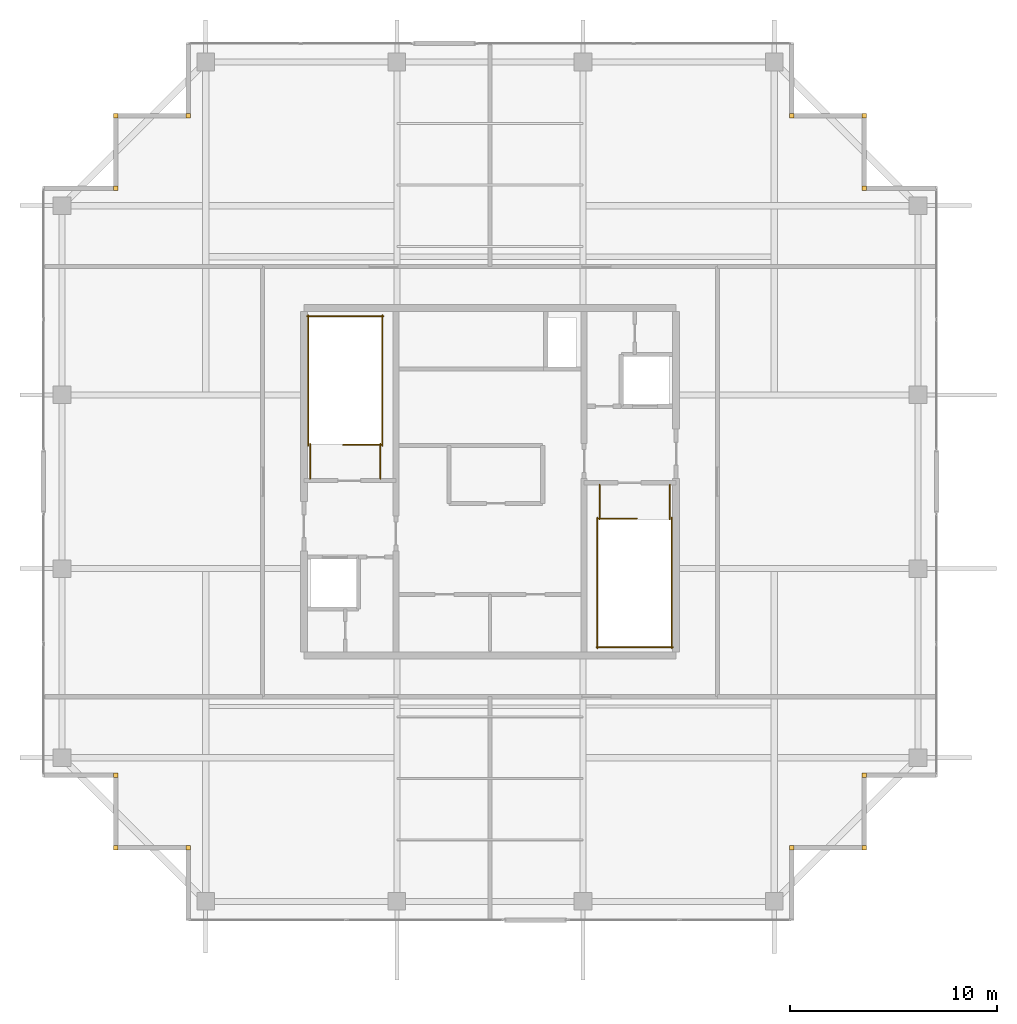
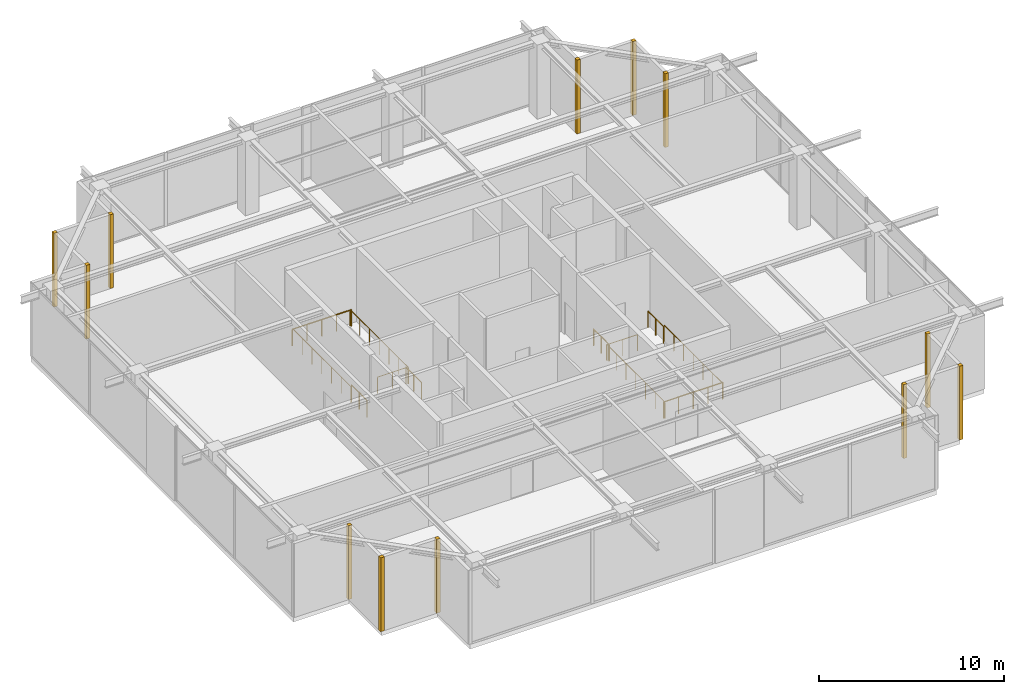
# One storey, part 27 of 27: 12 coverings, 12 railings.
"""IFC4 building model written with IfcOpenShell, lengths in metres."""

import ifcopenshell
import ifcopenshell.guid

model = None  # the IFC model being written
_history = None  # IfcOwnerHistory: only IFC2X3 demands one
_inside = {}  # id of a spatial element -> (the spatial element, [elements in it])
_under = {}  # id of a project, library or spatial element -> (it, [spatial elements below it])
_declared = {}  # id of a project -> (the project, [libraries it declares])
_typed = {}  # id of a type object -> (the type object, [elements of that type])
_made_of = {}  # id of a material, layer set ... -> (it, [elements and type objects made of it])


def new_model(schema):
    """Start an empty IFC model of exactly this schema.

    Asked for "IFC4X3", IfcOpenShell would pick the latest addendum, in which some entities
    have other attributes; the version numbers below select the first issue.
    IFC2X3 requires an IfcOwnerHistory on every rooted entity: one is made here for all.
    """
    global model, _history
    if schema == "IFC4X3":
        model = ifcopenshell.file(schema_version=(4, 3, 0, 0))
    else:
        model = ifcopenshell.file(schema=schema)
    _inside.clear()
    _under.clear()
    _declared.clear()
    _typed.clear()
    _made_of.clear()
    _history = None
    if model.schema == "IFC2X3":
        org = make("IfcOrganization", Name="unknown")
        user = make(
            "IfcPersonAndOrganization",
            ThePerson=make("IfcPerson", FamilyName="unknown"),
            TheOrganization=org,
        )
        app = make(
            "IfcApplication",
            ApplicationDeveloper=org,
            Version="unknown",
            ApplicationFullName="unknown",
            ApplicationIdentifier="unknown",
        )
        _history = make(
            "IfcOwnerHistory",
            OwningUser=user,
            OwningApplication=app,
            ChangeAction="ADDED",
            CreationDate=0,
        )
    return model


def make(cls, **values):
    """One entity of the class cls with the attributes given. An attribute that is None is left unset."""
    return model.create_entity(
        cls, **{name: value for name, value in values.items() if value is not None}
    )


def rooted(cls, **values):
    """An entity with a GlobalId (a new one), such as an element, a storey or a relation."""
    return make(cls, GlobalId=ifcopenshell.guid.new(), OwnerHistory=_history, **values)


def si_unit(unit_type, name, prefix=None):
    """IfcSIUnit, for example si_unit("LENGTHUNIT", "METRE", prefix="MILLI")."""
    return make("IfcSIUnit", UnitType=unit_type, Prefix=prefix, Name=name)


def assignment(units):
    """IfcUnitAssignment: the units of a project."""
    return None if units is None else make("IfcUnitAssignment", Units=units)


def point(xyz):
    """IfcCartesianPoint."""
    return None if xyz is None else make("IfcCartesianPoint", Coordinates=xyz)


def direction(xyz):
    """IfcDirection."""
    return None if xyz is None else make("IfcDirection", DirectionRatios=xyz)


def frame(location, z_axis=None, x_axis=None):
    """IfcAxis2Placement3D, a coordinate frame: its origin and axes. An axis left out is left unset."""
    return make(
        "IfcAxis2Placement3D",
        Location=point(location),
        Axis=direction(z_axis),
        RefDirection=direction(x_axis),
    )


def frame_2d(location, x_axis=None):
    """IfcAxis2Placement2D, a coordinate frame in the plane: its origin and x axis."""
    return make(
        "IfcAxis2Placement2D", Location=point(location), RefDirection=direction(x_axis)
    )


def origin():
    """The frame at (0, 0, 0) with its axes left unset."""
    return frame((0.0, 0.0, 0.0))


def origin_2d():
    """The frame at (0, 0) in the plane with its x axis left unset."""
    return frame_2d((0.0, 0.0))


def place(relative_to, where):
    """IfcLocalPlacement: puts the frame where relative to a parent placement (None: the world)."""
    return make(
        "IfcLocalPlacement", PlacementRelTo=relative_to, RelativePlacement=where
    )


def context(
    kind, dimensions, precision=None, world=None, true_north=None, identifier=None
):
    """IfcGeometricRepresentationContext, for example the 3D "Model" context."""
    return make(
        "IfcGeometricRepresentationContext",
        ContextIdentifier=identifier,
        ContextType=kind,
        CoordinateSpaceDimension=dimensions,
        Precision=precision,
        WorldCoordinateSystem=world,
        TrueNorth=true_north,
    )


def subcontext(parent, identifier, kind, view, scale=None):
    """IfcGeometricRepresentationSubContext, for example "Body" below "Model"."""
    return make(
        "IfcGeometricRepresentationSubContext",
        ContextIdentifier=identifier,
        ContextType=kind,
        ParentContext=parent,
        TargetScale=scale,
        TargetView=view,
    )


def project(units=None, contexts=None):
    """IfcProject with its units and contexts."""
    return rooted(
        "IfcProject",
        Name="project",
        RepresentationContexts=contexts,
        UnitsInContext=assignment(units),
    )


def spatial(cls, under=None, at=None, **own):
    """A site, building, storey or space (cls), placed at a placement, below another one or the project."""
    s = rooted(cls, ObjectPlacement=at, **own)
    if under is not None:
        _under.setdefault(under.id(), (under, []))[1].append(s)
    return s


def profile(cls, at=None, kind="AREA", **sizes):
    """A parametric profile (cls). Its sizes go by their IFC names, for example OverallWidth=200.0."""
    return make(cls, ProfileType=kind, Position=at, **sizes)


def rectangle(**sizes):
    """IfcRectangleProfileDef."""
    return profile("IfcRectangleProfileDef", **sizes)


def circle(**sizes):
    """IfcCircleProfileDef."""
    return profile("IfcCircleProfileDef", **sizes)


def extrude(swept, where, along, depth):
    """IfcExtrudedAreaSolid: the profile swept, set in the frame where, extruded along a direction by depth."""
    return make(
        "IfcExtrudedAreaSolid",
        SweptArea=swept,
        Position=where,
        ExtrudedDirection=direction(along),
        Depth=depth,
    )


def shape(context_of_items, identifier, shape_type, items):
    """IfcShapeRepresentation: the items that make up one representation, for example the "Body"."""
    return make(
        "IfcShapeRepresentation",
        ContextOfItems=context_of_items,
        RepresentationIdentifier=identifier,
        RepresentationType=shape_type,
        Items=items,
    )


def source(mapping_origin, context_of_items, identifier, shape_type, items):
    """IfcRepresentationMap: a shape defined once, which mapped items show again and again."""
    return make(
        "IfcRepresentationMap",
        MappingOrigin=mapping_origin,
        MappedRepresentation=shape(context_of_items, identifier, shape_type, items),
    )


def transform(
    local_origin,
    x_axis=None,
    y_axis=None,
    z_axis=None,
    scale=None,
    scale2=None,
    scale3=None,
    uniform=True,
):
    """IfcCartesianTransformationOperator3D, or its non-uniform kind. x_axis, y_axis, z_axis: its Axis1, 2, 3."""
    if uniform:
        return make(
            "IfcCartesianTransformationOperator3D",
            Axis1=direction(x_axis),
            Axis2=direction(y_axis),
            LocalOrigin=point(local_origin),
            Scale=scale,
            Axis3=direction(z_axis),
        )
    return make(
        "IfcCartesianTransformationOperator3DnonUniform",
        Axis1=direction(x_axis),
        Axis2=direction(y_axis),
        LocalOrigin=point(local_origin),
        Scale=scale,
        Axis3=direction(z_axis),
        Scale2=scale2,
        Scale3=scale3,
    )


def mapped(mapping_source, mapping_target):
    """IfcMappedItem: shows the shape of a source again, moved by a transform."""
    return make(
        "IfcMappedItem", MappingSource=mapping_source, MappingTarget=mapping_target
    )


def material(Name=None, Category=None):
    """IfcMaterial."""
    return make("IfcMaterial", Name=Name, Category=Category)


def layer(
    of_material, thickness, ventilated=None, Name=None, Category=None, Priority=None
):
    """IfcMaterialLayer: one layer of a wall or slab, of a material (None: an air gap)."""
    return make(
        "IfcMaterialLayer",
        Material=of_material,
        LayerThickness=thickness,
        IsVentilated=ventilated,
        Name=Name,
        Category=Category,
        Priority=Priority,
    )


def layer_set(layers, Name=None):
    """IfcMaterialLayerSet."""
    return make("IfcMaterialLayerSet", MaterialLayers=layers, LayerSetName=Name)


def made_of(thing, what):
    """Note that an element or type object is made of a material, layer set ...; save() writes the relation."""
    if what is not None:
        _made_of.setdefault(what.id(), (what, []))[1].append(thing)
    return thing


def type_object(cls, material=None, **own):
    """A type object (cls), such as IfcWallType, which elements share."""
    return made_of(rooted(cls, **own), material)


def element(
    cls,
    number,
    at=None,
    inside=None,
    cuts=None,
    type_object=None,
    material=None,
    context=None,
    identifier="Body",
    shape_type=None,
    held_by="IfcProductDefinitionShape",
    body=None,
    shapes=None,
    **own,
):
    """One element of the class cls, such as IfcWall. Its Tag is "e" and its number.

    at: its placement. inside: the storey or other place that contains it. cuts: it is an
    opening in that element (IfcRelVoidsElement). A single representation is given by context,
    identifier, shape_type and body (its items); several are given by shapes. held_by: the class
    of the entity that holds the representations. save() writes the other relations.
    """
    e = rooted(cls, Tag="e%d" % number, ObjectPlacement=at, **own)
    if body is not None:
        shapes = [shape(context, identifier, shape_type, body)]
    if shapes is not None:
        e.Representation = make(held_by, Representations=shapes)
    if inside is not None:
        _inside.setdefault(inside.id(), (inside, []))[1].append(e)
    if cuts is not None:
        rooted(
            "IfcRelVoidsElement", RelatingBuildingElement=cuts, RelatedOpeningElement=e
        )
    if type_object is not None:
        _typed.setdefault(type_object.id(), (type_object, []))[1].append(e)
    return made_of(e, material)


def aggregate(whole, parts):
    """IfcRelAggregates: a whole, such as a stair, and the parts it consists of."""
    return rooted("IfcRelAggregates", RelatingObject=whole, RelatedObjects=parts)


def save(model, path):
    """Write the relations noted so far, then the file.

    IfcRelAggregates (storeys below a building ...), IfcRelContainedInSpatialStructure (elements
    in a storey), IfcRelDefinesByType, IfcRelAssociatesMaterial and IfcRelDeclares: one each for
    every whole, place, type object, material and project.
    """
    for whole, parts in _under.values():
        aggregate(whole, parts)
    for where, things in _inside.values():
        rooted(
            "IfcRelContainedInSpatialStructure",
            RelatedElements=things,
            RelatingStructure=where,
        )
    for kind, things in _typed.values():
        rooted("IfcRelDefinesByType", RelatedObjects=things, RelatingType=kind)
    for what, things in _made_of.values():
        rooted("IfcRelAssociatesMaterial", RelatedObjects=things, RelatingMaterial=what)
    for by, libraries in _declared.values():
        rooted("IfcRelDeclares", RelatingContext=by, RelatedDefinitions=libraries)
    model.write(path)


model = new_model("IFC4")

# Units and contexts
model_context = context("Model", 3, precision=1e-05, world=origin(), true_north=direction((0.0, 1.0)))
body_context = subcontext(model_context, "Body", "Model", "MODEL_VIEW")
ifc_project = project(units=[si_unit("LENGTHUNIT", "METRE"), si_unit("AREAUNIT", "SQUARE_METRE"), si_unit("VOLUMEUNIT", "CUBIC_METRE"), si_unit("PLANEANGLEUNIT", "RADIAN"), si_unit("MASSUNIT", "GRAM", prefix="KILO")], contexts=[model_context])

# Site, building, storey
site_placement = place(None, origin())
site = spatial("IfcSite", under=ifc_project, at=site_placement, CompositionType="ELEMENT")
building_placement = place(site_placement, origin())
building = spatial("IfcBuilding", under=site, at=building_placement, Name="Serunith Strait Residences", CompositionType="ELEMENT")
storey_placement = place(building_placement, frame((0.0, 0.0, 365.75)))
storey = spatial("IfcBuildingStorey", under=building, at=storey_placement, Name="L89", CompositionType="ELEMENT", Elevation=365.75)

# Railings
ifc_material_1 = material(Name="Brushed stainless steel 316L", Category="steel")
railing_type = type_object("IfcRailingType", Name="RLG-STAIR-GUARD", PredefinedType="BALUSTRADE", material=ifc_material_1)
railing_1_placement = place(storey_placement, frame((27.14990234375, 26.97998046875, 0.0)))
element("IfcRailing", 1, at=railing_1_placement, inside=storey, type_object=railing_type, Name="L89 ST-1 top well guard 1", PredefinedType="BALUSTRADE", context=body_context, shape_type="SweptSolid", body=[
    extrude(circle(Radius=0.02392578125, at=origin_2d()), frame((-0.001953125, 0.0, 1.076171875), z_axis=(-1.0, 0.0, 0.0), x_axis=(0.0, -1.0, 0.0)), (0.0, 0.0, 1.0), 1.845947265625),
    extrude(circle(Radius=0.02099609375, at=origin_2d()), origin(), (0.0, 0.0, 1.0), 1.050048828125),
    extrude(circle(Radius=0.02099609375, at=origin_2d()), frame((-0.9248046875, 0.0, 0.0)), (0.0, 0.0, 1.0), 1.050048828125),
    extrude(circle(Radius=0.02099609375, at=origin_2d()), frame((-1.849853515625, 0.0, 0.0)), (0.0, 0.0, 1.0), 1.050048828125),
])
for number, where, name in (
    (2, (27.199951171875, 26.929931640625, 0.0), "L89 ST-1 top well guard 2"),
    (3, (23.60009765625, 26.929931640625, 0.0), "L89 ST-1 top well guard 3"),
):
    element("IfcRailing", number, at=place(storey_placement, frame(where)), inside=storey, type_object=railing_type, Name=name, PredefinedType="BALUSTRADE", context=body_context, shape_type="SweptSolid", body=[
        extrude(circle(Radius=0.02392578125, at=origin_2d()), frame((0.0, 0.001953125, 1.076171875), z_axis=(0.0, 1.0, 0.0), x_axis=(-1.0, 0.0, 0.0)), (0.0, 0.0, 1.0), 6.316162109375),
        extrude(circle(Radius=0.02099609375, at=origin_2d()), origin(), (0.0, 0.0, 1.0), 1.050048828125),
        extrude(circle(Radius=0.02099609375, at=origin_2d()), frame((0.0, 1.05322265625, 0.0)), (0.0, 0.0, 1.0), 1.050048828125),
        extrude(circle(Radius=0.02099609375, at=origin_2d()), frame((0.0, 2.106689453125, 0.0)), (0.0, 0.0, 1.0), 1.050048828125),
        extrude(circle(Radius=0.02099609375, at=origin_2d()), frame((0.0, 3.16015625, 0.0)), (0.0, 0.0, 1.0), 1.050048828125),
        extrude(circle(Radius=0.02099609375, at=origin_2d()), frame((0.0, 4.21337890625, 0.0)), (0.0, 0.0, 1.0), 1.050048828125),
        extrude(circle(Radius=0.02099609375, at=origin_2d()), frame((0.0, 5.2666015625, 0.0)), (0.0, 0.0, 1.0), 1.050048828125),
        extrude(circle(Radius=0.02099609375, at=origin_2d()), frame((0.0, 6.320068359375, 0.0)), (0.0, 0.0, 1.0), 1.050048828125),
    ])
railing_2_placement = place(storey_placement, frame((27.25, 33.199951171875, 0.0)))
element("IfcRailing", 4, at=railing_2_placement, inside=storey, type_object=railing_type, Name="L89 ST-1 top well guard 4", PredefinedType="BALUSTRADE", context=body_context, shape_type="SweptSolid", body=[
    extrude(circle(Radius=0.02392578125, at=origin_2d()), frame((-0.001953125, 0.0, 1.076171875), z_axis=(-1.0, 0.0, 0.0), x_axis=(0.0, -1.0, 0.0)), (0.0, 0.0, 1.0), 3.696044921875),
    extrude(circle(Radius=0.02099609375, at=origin_2d()), origin(), (0.0, 0.0, 1.0), 1.050048828125),
    extrude(circle(Radius=0.02099609375, at=origin_2d()), frame((-0.925048828125, 0.0, 0.0)), (0.0, 0.0, 1.0), 1.050048828125),
    extrude(circle(Radius=0.02099609375, at=origin_2d()), frame((-1.85009765625, 0.0, 0.0)), (0.0, 0.0, 1.0), 1.050048828125),
    extrude(circle(Radius=0.02099609375, at=origin_2d()), frame((-2.77490234375, 0.0, 0.0)), (0.0, 0.0, 1.0), 1.050048828125),
    extrude(circle(Radius=0.02099609375, at=origin_2d()), frame((-3.699951171875, 0.0, 0.0)), (0.0, 0.0, 1.0), 1.050048828125),
])
for number, where, name in (
    (5, (27.10009765625, 25.35009765625, 0.0), "L89 ST-1 top well guard 5"),
    (6, (23.699951171875, 25.35009765625, 0.0), "L89 ST-1 top well guard 6"),
):
    element("IfcRailing", number, at=place(storey_placement, frame(where)), inside=storey, type_object=railing_type, Name=name, PredefinedType="BALUSTRADE", context=body_context, shape_type="SweptSolid", body=[
        extrude(circle(Radius=0.02392578125, at=origin_2d()), frame((0.0, 0.001953125, 1.076171875), z_axis=(0.0, 1.0, 0.0), x_axis=(-1.0, 0.0, 0.0)), (0.0, 0.0, 1.0), 1.676025390625),
        extrude(circle(Radius=0.02099609375, at=origin_2d()), origin(), (0.0, 0.0, 1.0), 1.050048828125),
        extrude(circle(Radius=0.02099609375, at=origin_2d()), frame((0.0, 0.83984375, 0.0)), (0.0, 0.0, 1.0), 1.050048828125),
        extrude(circle(Radius=0.02099609375, at=origin_2d()), frame((0.0, 1.679931640625, 0.0)), (0.0, 0.0, 1.0), 1.050048828125),
    ])
railing_3_placement = place(storey_placement, frame((37.64990234375, 23.419921875, 0.0)))
element("IfcRailing", 7, at=railing_3_placement, inside=storey, type_object=railing_type, Name="L89 ST-2 top well guard 1", PredefinedType="BALUSTRADE", context=body_context, shape_type="SweptSolid", body=[
    extrude(circle(Radius=0.02392578125, at=origin_2d()), frame((0.001953125, 0.0, 1.076171875), z_axis=(1.0, 0.0, 0.0), x_axis=(0.0, 1.0, 0.0)), (0.0, 0.0, 1.0), 1.84619140625),
    extrude(circle(Radius=0.02099609375, at=origin_2d()), origin(), (0.0, 0.0, 1.0), 1.050048828125),
    extrude(circle(Radius=0.02099609375, at=origin_2d()), frame((0.925048828125, 0.0, 0.0)), (0.0, 0.0, 1.0), 1.050048828125),
    extrude(circle(Radius=0.02099609375, at=origin_2d()), frame((1.85009765625, 0.0, 0.0)), (0.0, 0.0, 1.0), 1.050048828125),
])
for number, where, name in (
    (8, (37.60009765625, 23.469970703125, 0.0), "L89 ST-2 top well guard 2"),
    (9, (41.199951171875, 23.469970703125, 0.0), "L89 ST-2 top well guard 3"),
):
    element("IfcRailing", number, at=place(storey_placement, frame(where)), inside=storey, type_object=railing_type, Name=name, PredefinedType="BALUSTRADE", context=body_context, shape_type="SweptSolid", body=[
        extrude(circle(Radius=0.02392578125, at=origin_2d()), frame((0.0, -0.001953125, 1.076171875), z_axis=(0.0, -1.0, 0.0), x_axis=(1.0, 0.0, 0.0)), (0.0, 0.0, 1.0), 6.316162109375),
        extrude(circle(Radius=0.02099609375, at=origin_2d()), origin(), (0.0, 0.0, 1.0), 1.050048828125),
        extrude(circle(Radius=0.02099609375, at=origin_2d()), frame((0.0, -1.05322265625, 0.0)), (0.0, 0.0, 1.0), 1.050048828125),
        extrude(circle(Radius=0.02099609375, at=origin_2d()), frame((0.0, -2.106689453125, 0.0)), (0.0, 0.0, 1.0), 1.050048828125),
        extrude(circle(Radius=0.02099609375, at=origin_2d()), frame((0.0, -3.16015625, 0.0)), (0.0, 0.0, 1.0), 1.050048828125),
        extrude(circle(Radius=0.02099609375, at=origin_2d()), frame((0.0, -4.21337890625, 0.0)), (0.0, 0.0, 1.0), 1.050048828125),
        extrude(circle(Radius=0.02099609375, at=origin_2d()), frame((0.0, -5.2666015625, 0.0)), (0.0, 0.0, 1.0), 1.050048828125),
        extrude(circle(Radius=0.02099609375, at=origin_2d()), frame((0.0, -6.320068359375, 0.0)), (0.0, 0.0, 1.0), 1.050048828125),
    ])
railing_4_placement = place(storey_placement, frame((37.550048828125, 17.199951171875, 0.0)))
element("IfcRailing", 10, at=railing_4_placement, inside=storey, type_object=railing_type, Name="L89 ST-2 top well guard 4", PredefinedType="BALUSTRADE", context=body_context, shape_type="SweptSolid", body=[
    extrude(circle(Radius=0.02392578125, at=origin_2d()), frame((0.001953125, 0.0, 1.076171875), z_axis=(1.0, 0.0, 0.0), x_axis=(0.0, 1.0, 0.0)), (0.0, 0.0, 1.0), 3.696044921875),
    extrude(circle(Radius=0.02099609375, at=origin_2d()), origin(), (0.0, 0.0, 1.0), 1.050048828125),
    extrude(circle(Radius=0.02099609375, at=origin_2d()), frame((0.925048828125, 0.0, 0.0)), (0.0, 0.0, 1.0), 1.050048828125),
    extrude(circle(Radius=0.02099609375, at=origin_2d()), frame((1.85009765625, 0.0, 0.0)), (0.0, 0.0, 1.0), 1.050048828125),
    extrude(circle(Radius=0.02099609375, at=origin_2d()), frame((2.77490234375, 0.0, 0.0)), (0.0, 0.0, 1.0), 1.050048828125),
    extrude(circle(Radius=0.02099609375, at=origin_2d()), frame((3.699951171875, 0.0, 0.0)), (0.0, 0.0, 1.0), 1.050048828125),
])
for number, where, name in (
    (11, (37.699951171875, 25.050048828125, 0.0), "L89 ST-2 top well guard 5"),
    (12, (41.10009765625, 25.050048828125, 0.0), "L89 ST-2 top well guard 6"),
):
    element("IfcRailing", number, at=place(storey_placement, frame(where)), inside=storey, type_object=railing_type, Name=name, PredefinedType="BALUSTRADE", context=body_context, shape_type="SweptSolid", body=[
        extrude(circle(Radius=0.02392578125, at=origin_2d()), frame((0.0, -0.001953125, 1.076171875), z_axis=(0.0, -1.0, 0.0), x_axis=(1.0, 0.0, 0.0)), (0.0, 0.0, 1.0), 1.676025390625),
        extrude(circle(Radius=0.02099609375, at=origin_2d()), origin(), (0.0, 0.0, 1.0), 1.050048828125),
        extrude(circle(Radius=0.02099609375, at=origin_2d()), frame((0.0, -0.83984375, 0.0)), (0.0, 0.0, 1.0), 1.050048828125),
        extrude(circle(Radius=0.02099609375, at=origin_2d()), frame((0.0, -1.679931640625, 0.0)), (0.0, 0.0, 1.0), 1.050048828125),
    ])

# Coverings
ifc_material_2 = material(Name="Pale-Champagne Anodised Aluminium", Category="aluminium")
ifc_layer = layer(ifc_material_2, 0.219970703125, Name="Pale-Champagne Anodised Aluminium")
ifc_layer_set = layer_set([ifc_layer], Name="Pale-Champagne Anodised Aluminium")
covering_type = type_object("IfcCoveringType", Name="COV-CORN-TRIM", PredefinedType="CLADDING", material=ifc_layer_set)
shared_shape = source(origin(), body_context, "Body", "SweptSolid", [
    extrude(rectangle(XDim=0.221923828125, YDim=0.221923828125, at=origin_2d()), origin(), (0.0, 0.0, 1.0), 4.885009765625),
])
for number, where, z_axis, x_axis, name in (
    (13, (47.0, 7.5, 0.0), (0.0, 0.0, 1.0), (1.0, 0.0, 0.0), "L89 Girih Serrated Corner Trim Post 02"),
    (14, (50.5, 7.5, 0.0), (0.0, 0.0, 1.0), (1.0, 0.0, 0.0), "L89 Girih Serrated Corner Trim Post 03"),
    (15, (50.5, 11.0, 0.0), (0.0, 0.0, 1.0), (1.0, 0.0, 0.0), "L89 Girih Serrated Corner Trim Post 04"),
    (16, (50.5, 39.39990234375, 0.0), (0.0, 0.0, 1.0), (1.0, 0.0, 0.0), "L89 Girih Serrated Corner Trim Post 07"),
    (17, (50.5, 42.89990234375, 0.0), (0.0, 0.0, 1.0), (1.0, 0.0, 0.0), "L89 Girih Serrated Corner Trim Post 08"),
    (18, (47.0, 42.89990234375, 0.0), (0.0, 0.0, 1.0), (1.0, 0.0, 0.0), "L89 Girih Serrated Corner Trim Post 09"),
    (19, (17.800048828125, 42.89990234375, 0.0), (0.0, 0.0, 1.0), (1.0, 0.0, 0.0), "L89 Girih Serrated Corner Trim Post 12"),
    (20, (14.300048828125, 42.89990234375, 0.0), (0.0, 0.0, 1.0), (1.0, 0.0, 0.0), "L89 Girih Serrated Corner Trim Post 13"),
    (21, (14.300048828125, 39.39990234375, 0.0), (0.0, 0.0, 1.0), (1.0, 0.0, 0.0), "L89 Girih Serrated Corner Trim Post 14"),
    (22, (14.300048828125, 11.0, 0.0), (0.0, 0.0, 1.0), (1.0, 0.0, 0.0), "L89 Girih Serrated Corner Trim Post 17"),
    (23, (14.300048828125, 7.5, 0.0), (0.0, 0.0, 1.0), (1.0, 0.0, 0.0), "L89 Girih Serrated Corner Trim Post 18"),
    (24, (17.800048828125, 7.5, 0.0), (0.0, 0.0, 1.0), (1.0, 0.0, 0.0), "L89 Girih Serrated Corner Trim Post 19"),
):
    element("IfcCovering", number, at=place(storey_placement, frame(where, z_axis=z_axis, x_axis=x_axis)), inside=storey, type_object=covering_type, Name=name, PredefinedType="CLADDING", context=body_context, shape_type="MappedRepresentation", body=[
        mapped(shared_shape, transform((0.0, 0.0, 0.0), scale=1.0)),
    ])

save(model, "model.ifc")
